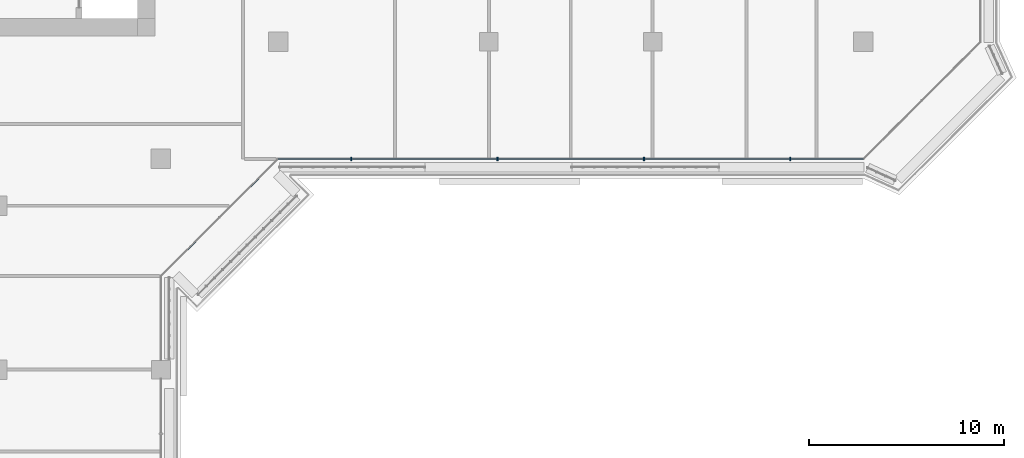
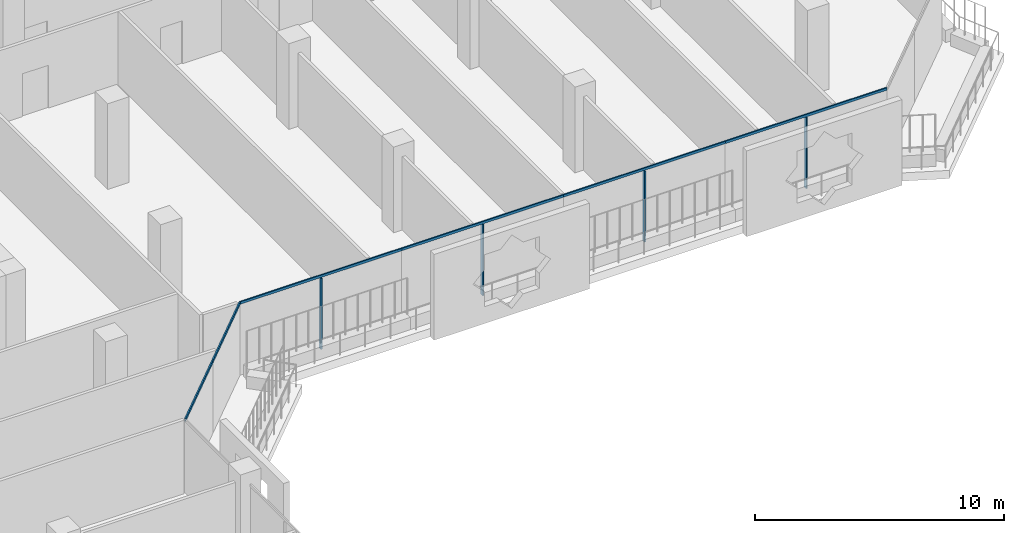
# One storey, part 3 of 22: 10 members, 2 elements without a shape of their own.
"""IFC4 building model written with IfcOpenShell, lengths in metres."""

from ifc_helpers import new_model, si_unit, direction, frame, origin, origin_2d, place, context, subcontext, project, spatial, rectangle, extrude, material, layer, layer_set, material_profile, profile_set, type_object, element, aggregate, save


model = new_model("IFC4")

# Units and contexts
model_context = context("Model", 3, precision=1e-05, world=origin(), true_north=direction((0.0, 1.0)))
body_context = subcontext(model_context, "Body", "Model", "MODEL_VIEW")
ifc_project = project(units=[si_unit("LENGTHUNIT", "METRE"), si_unit("AREAUNIT", "SQUARE_METRE"), si_unit("VOLUMEUNIT", "CUBIC_METRE"), si_unit("PLANEANGLEUNIT", "RADIAN"), si_unit("MASSUNIT", "GRAM", prefix="KILO")], contexts=[model_context])

# Site, building, storey
site_placement = place(None, origin())
site = spatial("IfcSite", under=ifc_project, at=site_placement, CompositionType="ELEMENT")
building_placement = place(site_placement, origin())
building = spatial("IfcBuilding", under=site, at=building_placement, Name="Kawkab Arch Medical Tower", CompositionType="ELEMENT")
storey_placement = place(building_placement, frame((0.0, 0.0, 179.39990234375)))
storey = spatial("IfcBuildingStorey", under=building, at=storey_placement, Name="L41", CompositionType="ELEMENT", Elevation=179.39990234375)

# Curtain wall, members
ifc_material_1 = material(Name="Bronze anodised aluminium curtain wall frame", Category="aluminium")
ifc_layer_1 = layer(ifc_material_1, 0.159912109375)
ifc_layer_set_1 = layer_set([ifc_layer_1], Name="Bronze anodised aluminium curtain wall frame")
curtain_wall_type_1 = type_object("IfcCurtainWallType", Name="CW1 ward curtain wall", PredefinedType="NOTDEFINED", material=ifc_layer_set_1)
placement = place(storey_placement, origin())
curtain_wall_1 = element("IfcCurtainWall", 1, at=placement, inside=storey, type_object=curtain_wall_type_1, Name="CW1 Ward curtain wall R07", PredefinedType="NOTDEFINED")
ifc_material_2 = material(Name="Bronze anodised aluminium curtain wall frame", Category="aluminium")
ifc_material_profile_1 = material_profile(ifc_material_2, rectangle(XDim=0.179931640625, YDim=0.06005859375, at=origin_2d()), Name="AL 60x180")
ifc_profile_set_1 = profile_set([ifc_material_profile_1], Name="Bronze anodised aluminium curtain wall frame")
member_type_1 = type_object("IfcMemberType", Name="CW1 mullion 60 x 180", PredefinedType="MULLION", material=ifc_profile_set_1)
member_1_placement = place(storey_placement, frame((34.949951171875, -31.199951171875, 0.0), z_axis=(0.0, 0.0, 1.0), x_axis=(0.0, 1.0, 0.0)))
member_1 = element("IfcMember", 2, at=member_1_placement, type_object=member_type_1, Name="CW1 mullion 1.1", PredefinedType="MULLION", context=body_context, shape_type="SweptSolid", body=[
    extrude(rectangle(XDim=0.179931640625, YDim=0.06005859375, at=origin_2d()), origin(), (0.0, 0.0, 1.0), 3.47998046875),
])
member_2_placement = place(storey_placement, frame((42.449951171875, -31.199951171875, 0.0), z_axis=(0.0, 0.0, 1.0), x_axis=(0.0, 1.0, 0.0)))
member_2 = element("IfcMember", 3, at=member_2_placement, type_object=member_type_1, Name="CW1 mullion 2.1", PredefinedType="MULLION", context=body_context, shape_type="SweptSolid", body=[
    extrude(rectangle(XDim=0.179931640625, YDim=0.06005859375, at=origin_2d()), origin(), (0.0, 0.0, 1.0), 3.47998046875),
])
member_3_placement = place(storey_placement, frame((49.949951171875, -31.199951171875, 0.0), z_axis=(0.0, 0.0, 1.0), x_axis=(0.0, 1.0, 0.0)))
member_3 = element("IfcMember", 4, at=member_3_placement, type_object=member_type_1, Name="CW1 mullion 3.1", PredefinedType="MULLION", context=body_context, shape_type="SweptSolid", body=[
    extrude(rectangle(XDim=0.179931640625, YDim=0.06005859375, at=origin_2d()), origin(), (0.0, 0.0, 1.0), 3.47998046875),
])
member_4_placement = place(storey_placement, frame((57.449951171875, -31.199951171875, 0.0), z_axis=(0.0, 0.0, 1.0), x_axis=(0.0, 1.0, 0.0)))
member_4 = element("IfcMember", 5, at=member_4_placement, type_object=member_type_1, Name="CW1 mullion 4.1", PredefinedType="MULLION", context=body_context, shape_type="SweptSolid", body=[
    extrude(rectangle(XDim=0.179931640625, YDim=0.06005859375, at=origin_2d()), origin(), (0.0, 0.0, 1.0), 3.47998046875),
])
ifc_material_3 = material(Name="Bronze anodised aluminium curtain wall frame", Category="aluminium")
ifc_material_profile_2 = material_profile(ifc_material_3, rectangle(XDim=0.06005859375, YDim=0.1201171875, at=origin_2d()), Name="AL 60x120")
ifc_profile_set_2 = profile_set([ifc_material_profile_2], Name="Bronze anodised aluminium curtain wall frame")
member_type_2 = type_object("IfcMemberType", Name="CW1 transom 120 x 60", PredefinedType="USERDEFINED", material=ifc_profile_set_2)
member_5_placement = place(storey_placement, frame((31.199951171875, -31.199951171875, 3.5400390625), z_axis=(1.0, 0.0, 0.0), x_axis=(0.0, 1.0, 0.0)))
member_5 = element("IfcMember", 6, at=member_5_placement, type_object=member_type_2, Name="CW1 transom 1", ObjectType="TRANSOM", PredefinedType="USERDEFINED", context=body_context, shape_type="SweptSolid", body=[
    extrude(rectangle(XDim=0.06005859375, YDim=0.1201171875, at=origin_2d()), origin(), (0.0, 0.0, 1.0), 7.5),
])
member_6_placement = place(storey_placement, frame((38.699951171875, -31.199951171875, 3.5400390625), z_axis=(1.0, 0.0, 0.0), x_axis=(0.0, 1.0, 0.0)))
member_6 = element("IfcMember", 7, at=member_6_placement, type_object=member_type_2, Name="CW1 transom 2", ObjectType="TRANSOM", PredefinedType="USERDEFINED", context=body_context, shape_type="SweptSolid", body=[
    extrude(rectangle(XDim=0.06005859375, YDim=0.1201171875, at=origin_2d()), origin(), (0.0, 0.0, 1.0), 7.5),
])
member_7_placement = place(storey_placement, frame((46.199951171875, -31.199951171875, 3.5400390625), z_axis=(1.0, 0.0, 0.0), x_axis=(0.0, 1.0, 0.0)))
member_7 = element("IfcMember", 8, at=member_7_placement, type_object=member_type_2, Name="CW1 transom 3", ObjectType="TRANSOM", PredefinedType="USERDEFINED", context=body_context, shape_type="SweptSolid", body=[
    extrude(rectangle(XDim=0.06005859375, YDim=0.1201171875, at=origin_2d()), origin(), (0.0, 0.0, 1.0), 7.5),
])
member_8_placement = place(storey_placement, frame((53.699951171875, -31.199951171875, 3.5400390625), z_axis=(1.0, 0.0, 0.0), x_axis=(0.0, 1.0, 0.0)))
member_8 = element("IfcMember", 9, at=member_8_placement, type_object=member_type_2, Name="CW1 transom 4", ObjectType="TRANSOM", PredefinedType="USERDEFINED", context=body_context, shape_type="SweptSolid", body=[
    extrude(rectangle(XDim=0.06005859375, YDim=0.1201171875, at=origin_2d()), origin(), (0.0, 0.0, 1.0), 7.5),
])
aggregate(curtain_wall_1, [member_5, member_1, member_6, member_2, member_7, member_3, member_8, member_4])

ifc_material_4 = material(Name="Bronze anodised aluminium curtain wall frame", Category="aluminium")
ifc_layer_2 = layer(ifc_material_4, 0.159912109375)
ifc_layer_set_2 = layer_set([ifc_layer_2], Name="Bronze anodised aluminium curtain wall frame")
curtain_wall_type_2 = type_object("IfcCurtainWallType", Name="CW2 chamfer curtain wall", PredefinedType="NOTDEFINED", material=ifc_layer_set_2)
curtain_wall_2 = element("IfcCurtainWall", 10, at=placement, inside=storey, type_object=curtain_wall_type_2, Name="CW2 Chamfer curtain wall R06", PredefinedType="NOTDEFINED")
ifc_material_5 = material(Name="Bronze anodised aluminium curtain wall frame", Category="aluminium")
ifc_material_profile_3 = material_profile(ifc_material_5, rectangle(XDim=0.06005859375, YDim=0.139892578125, at=origin_2d()), Name="AL 60x140")
ifc_profile_set_3 = profile_set([ifc_material_profile_3], Name="Bronze anodised aluminium curtain wall frame")
member_type_3 = type_object("IfcMemberType", Name="CW2 transom 140 x 60", PredefinedType="USERDEFINED", material=ifc_profile_set_3)
member_9_placement = place(storey_placement, frame((25.199951171875, -37.199951171875, 3.530029296875), z_axis=(0.707106781187, 0.707106781187, 0.0), x_axis=(-0.707106781187, 0.707106781187, 0.0)))
member_9 = element("IfcMember", 11, at=member_9_placement, type_object=member_type_3, Name="CW2 transom 1", ObjectType="TRANSOM", PredefinedType="USERDEFINED", context=body_context, shape_type="SweptSolid", body=[
    extrude(rectangle(XDim=0.06005859375, YDim=0.139892578125, at=origin_2d()), origin(), (0.0, 0.0, 1.0), 4.24267578125),
])
member_10_placement = place(storey_placement, frame((28.199951171875, -34.199951171875, 3.530029296875), z_axis=(0.707106781187, 0.707106781187, 0.0), x_axis=(-0.707106781187, 0.707106781187, 0.0)))
member_10 = element("IfcMember", 12, at=member_10_placement, type_object=member_type_3, Name="CW2 transom 2", ObjectType="TRANSOM", PredefinedType="USERDEFINED", context=body_context, shape_type="SweptSolid", body=[
    extrude(rectangle(XDim=0.06005859375, YDim=0.139892578125, at=origin_2d()), origin(), (0.0, 0.0, 1.0), 4.24267578125),
])
aggregate(curtain_wall_2, [member_9, member_10])

save(model, "model.ifc")
